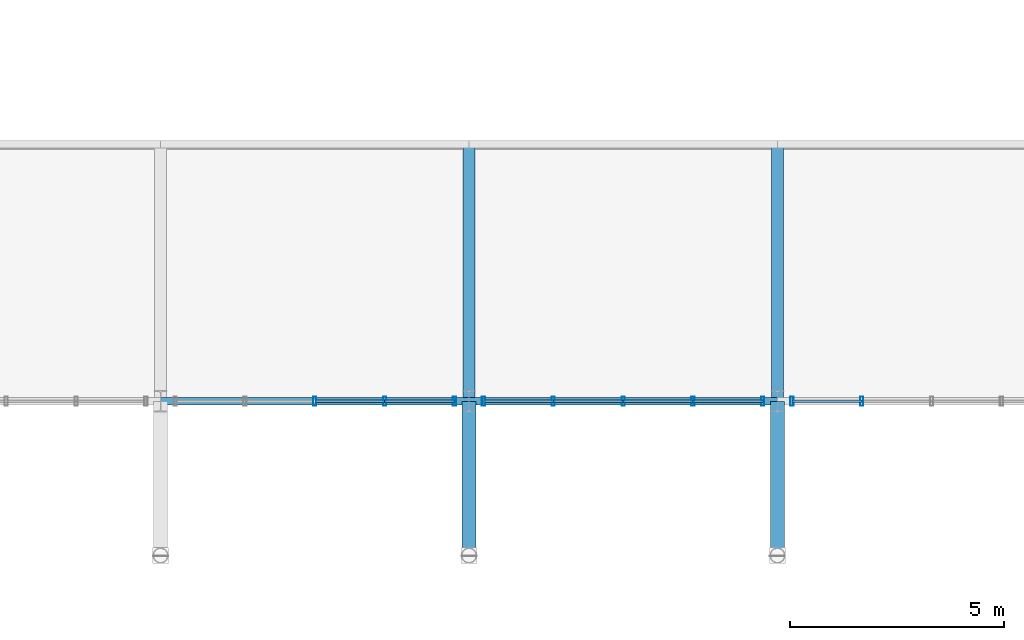
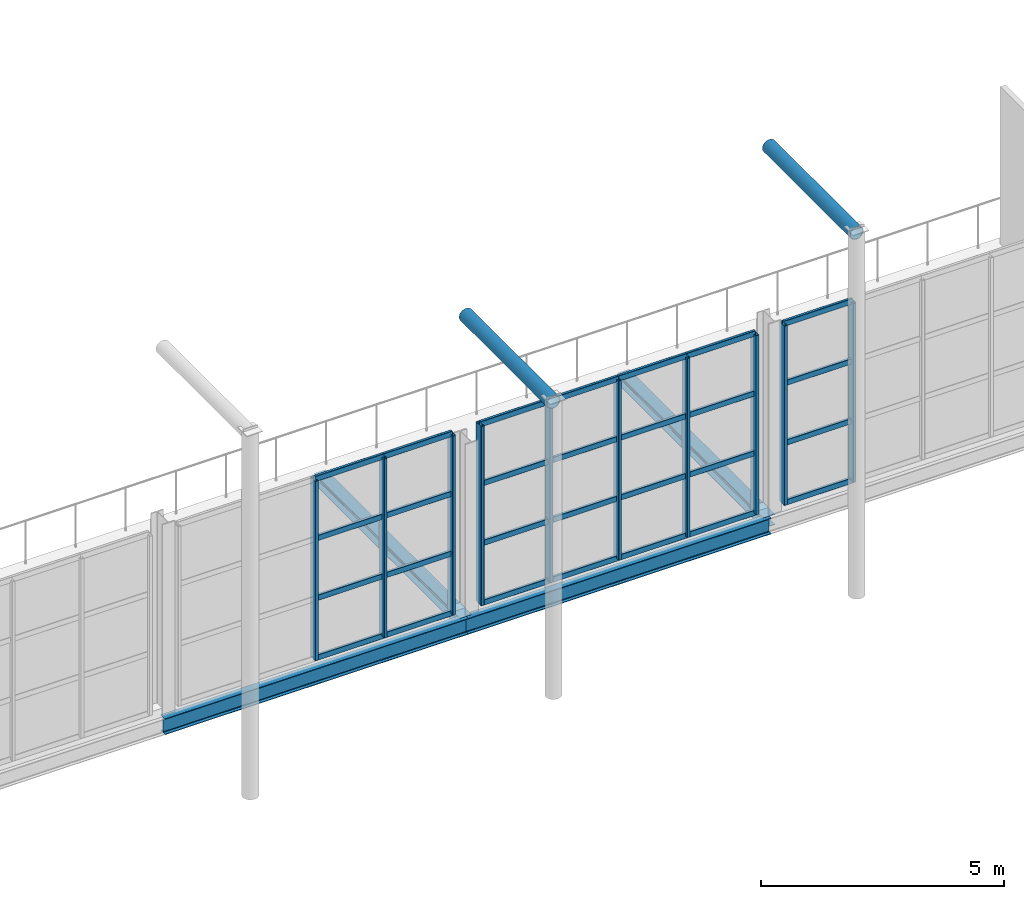
# One storey, part 22 of 143: 38 members, 6 beams, 3 elements without a shape of their own.
"""IFC4 building model written with IfcOpenShell, lengths in metres."""

from ifc_helpers import new_model, si_unit, derived_unit, direction, frame, origin, origin_2d, place, context, subcontext, project, spatial, hollow_rectangle, hollow_circle, i_section, extrude, material, material_profile, profile_set, type_object, element, aggregate, save


model = new_model("IFC4")

# Units and contexts
model_context = context("Model", 3, precision=1e-05, world=origin(), true_north=direction((0.0, 1.0)))
body_context = subcontext(model_context, "Body", "Model", "MODEL_VIEW")
ifc_project = project(units=[si_unit("LENGTHUNIT", "METRE"), si_unit("AREAUNIT", "SQUARE_METRE"), si_unit("VOLUMEUNIT", "CUBIC_METRE"), si_unit("PLANEANGLEUNIT", "RADIAN"), si_unit("MASSUNIT", "GRAM", prefix="KILO"), derived_unit("THERMALTRANSMITTANCEUNIT", [(si_unit("POWERUNIT", "WATT"), 1), (si_unit("LENGTHUNIT", "METRE"), -2), (si_unit("THERMODYNAMICTEMPERATUREUNIT", "KELVIN"), -1)])], contexts=[model_context])

# Site, building, storey
site_placement = place(None, origin())
site = spatial("IfcSite", under=ifc_project, at=site_placement, CompositionType="ELEMENT")
building_placement = place(site_placement, origin())
building = spatial("IfcBuilding", under=site, at=building_placement, Name="Keldorne Ridge Multi-Sports Centre", CompositionType="ELEMENT")
storey_placement = place(building_placement, frame((0.0, 0.0, 4.800048828125)))
storey = spatial("IfcBuildingStorey", under=building, at=storey_placement, Name="L01", CompositionType="ELEMENT", Elevation=4.800048828125)

# Beams
ifc_material_1 = material(Name="Steel S355", Category="steel")
ifc_material_profile_1 = material_profile(ifc_material_1, i_section(OverallWidth=0.179931640625, OverallDepth=0.39990234375, WebThickness=0.008544921875, FlangeThickness=0.013427734375, FilletRadius=0.02099609375, at=origin_2d()), Name="IPE 400")
ifc_profile_set_1 = profile_set([ifc_material_profile_1], Name="Steel S355")
beam_type_1 = type_object("IfcBeamType", Name="BM-B-04", PredefinedType="BEAM", material=ifc_profile_set_1)
for number, where, z_axis, x_axis, name in (
    (1, (34.800048828125, 9.60009765625, -0.420166015625), (1.0, 0.0, 0.0), (0.0, 1.0, 0.0), "L01 mezzanine south beam 5"),
    (2, (42.0, 9.60009765625, -0.420166015625), (1.0, 0.0, 0.0), (0.0, 1.0, 0.0), "L01 mezzanine south beam 6"),
):
    element("IfcBeam", number, at=place(storey_placement, frame(where, z_axis=z_axis, x_axis=x_axis)), inside=storey, type_object=beam_type_1, Name=name, PredefinedType="BEAM", context=body_context, shape_type="SweptSolid", body=[
        extrude(i_section(OverallWidth=0.179931640625, OverallDepth=0.39990234375, WebThickness=0.008544921875, FlangeThickness=0.013427734375, FilletRadius=0.02099609375, at=origin_2d()), origin(), (0.0, 0.0, 1.0), 7.199951171875),
    ])
ifc_material_profile_2 = material_profile(ifc_material_1, hollow_circle(Radius=0.161865234375, WallThickness=0.01611328125, at=origin_2d()), Name="CHS 323.9x16")
ifc_profile_set_2 = profile_set([ifc_material_profile_2], Name="Steel S355")
beam_type_2 = type_object("IfcBeamType", Name="BM-B-19", PredefinedType="BEAM", material=ifc_profile_set_2)
for number, where, z_axis, x_axis, name in (
    (3, (42.0, 9.60009765625, 7.349853515625), (0.0, -1.0, 0.0), (1.0, 0.0, 0.0), "Colonnade eave rafter 06"),
    (4, (49.199951171875, 9.60009765625, 9.070068359375), (0.0, -1.0, 0.0), (1.0, 0.0, 0.0), "Colonnade eave rafter 07"),
):
    element("IfcBeam", number, at=place(storey_placement, frame(where, z_axis=z_axis, x_axis=x_axis)), inside=storey, type_object=beam_type_2, Name=name, PredefinedType="BEAM", context=body_context, shape_type="SweptSolid", body=[
        extrude(hollow_circle(Radius=0.161865234375, WallThickness=0.01611328125, at=origin_2d()), origin(), (0.0, 0.0, 1.0), 3.60009765625),
    ])
ifc_material_profile_3 = material_profile(ifc_material_1, i_section(OverallWidth=0.280029296875, OverallDepth=0.27001953125, WebThickness=0.008056640625, FlangeThickness=0.012939453125, FilletRadius=0.02392578125, at=origin_2d()), Name="HEA 280")
ifc_profile_set_3 = profile_set([ifc_material_profile_3], Name="Steel S355")
beam_type_3 = type_object("IfcBeamType", Name="BM-J-05", PredefinedType="JOIST", material=ifc_profile_set_3)
for number, where, z_axis, x_axis, name in (
    (5, (42.0, 9.60009765625, -0.35498046875), (0.0, 1.0, 0.0), (-1.0, 0.0, 0.0), "L01 mezzanine cross beam 6"),
    (6, (49.199951171875, 9.60009765625, -0.35498046875), (0.0, 1.0, 0.0), (-1.0, 0.0, 0.0), "L01 mezzanine cross beam 7"),
):
    element("IfcBeam", number, at=place(storey_placement, frame(where, z_axis=z_axis, x_axis=x_axis)), inside=storey, type_object=beam_type_3, Name=name, PredefinedType="JOIST", context=body_context, shape_type="SweptSolid", body=[
        extrude(i_section(OverallWidth=0.280029296875, OverallDepth=0.27001953125, WebThickness=0.008056640625, FlangeThickness=0.012939453125, FilletRadius=0.02392578125, at=origin_2d()), origin(), (0.0, 0.0, 1.0), 6.0),
    ])

# Curtain wall, members
ifc_material_2 = material(Name="Anodized aluminium", Category="aluminium")
curtain_wall_type_1 = type_object("IfcCurtainWallType", Name="CW-CW-05", PredefinedType="NOTDEFINED", material=ifc_material_2)
curtain_wall_1_placement = place(storey_placement, origin())
curtain_wall_1 = element("IfcCurtainWall", 7, at=curtain_wall_1_placement, inside=storey, type_object=curtain_wall_type_1, Name="Main Hall south mezzanine curtain wall 013", PredefinedType="NOTDEFINED")
ifc_material_profile_4 = material_profile(ifc_material_2, hollow_rectangle(XDim=0.074951171875, YDim=0.219970703125, WallThickness=0.0048828125, InnerFilletRadius=0.0048828125, OuterFilletRadius=0.010009765625, at=origin_2d()), Name="ALU MULLION 220x75x5")
ifc_profile_set_4 = profile_set([ifc_material_profile_4], Name="Anodized aluminium")
member_type_1 = type_object("IfcMemberType", Name="MEM-ML-02", PredefinedType="MULLION", material=ifc_profile_set_4)
member_1_placement = place(storey_placement, frame((38.39990234375, 9.60009765625, 0.0), z_axis=(0.0, 0.0, 1.0), x_axis=(1.0, 0.0, 0.0)))
member_1 = element("IfcMember", 8, at=member_1_placement, type_object=member_type_1, Name="CW-013 vertical mullion 3", PredefinedType="MULLION", context=body_context, shape_type="SweptSolid", body=[
    extrude(hollow_rectangle(XDim=0.074951171875, YDim=0.219970703125, WallThickness=0.0048828125, InnerFilletRadius=0.0048828125, OuterFilletRadius=0.010009765625, at=origin_2d()), origin(), (0.0, 0.0, 1.0), 4.5),
])
member_2_placement = place(storey_placement, frame((40.030029296875, 9.60009765625, 0.0), z_axis=(0.0, 0.0, 1.0), x_axis=(1.0, 0.0, 0.0)))
member_2 = element("IfcMember", 9, at=member_2_placement, type_object=member_type_1, Name="CW-013 vertical mullion 4", PredefinedType="MULLION", context=body_context, shape_type="SweptSolid", body=[
    extrude(hollow_rectangle(XDim=0.074951171875, YDim=0.219970703125, WallThickness=0.0048828125, InnerFilletRadius=0.0048828125, OuterFilletRadius=0.010009765625, at=origin_2d()), origin(), (0.0, 0.0, 1.0), 4.5),
])
member_3_placement = place(storey_placement, frame((41.659912109375, 9.60009765625, 0.0), z_axis=(0.0, 0.0, 1.0), x_axis=(1.0, 0.0, 0.0)))
member_3 = element("IfcMember", 10, at=member_3_placement, type_object=member_type_1, Name="CW-013 vertical mullion 5", PredefinedType="MULLION", context=body_context, shape_type="SweptSolid", body=[
    extrude(hollow_rectangle(XDim=0.074951171875, YDim=0.219970703125, WallThickness=0.0048828125, InnerFilletRadius=0.0048828125, OuterFilletRadius=0.010009765625, at=origin_2d()), origin(), (0.0, 0.0, 1.0), 4.5),
])

curtain_wall_type_2 = type_object("IfcCurtainWallType", Name="CW-CW-07", PredefinedType="NOTDEFINED", material=ifc_material_2)
curtain_wall_2_placement = place(storey_placement, origin())
curtain_wall_2 = element("IfcCurtainWall", 11, at=curtain_wall_2_placement, inside=storey, type_object=curtain_wall_type_2, Name="Main Hall south mezzanine curtain wall 015", PredefinedType="NOTDEFINED")
member_4_placement = place(storey_placement, frame((42.340087890625, 9.60009765625, 0.0), z_axis=(0.0, 0.0, 1.0), x_axis=(1.0, 0.0, 0.0)))
member_4 = element("IfcMember", 12, at=member_4_placement, type_object=member_type_1, Name="CW-015 vertical mullion 1", PredefinedType="MULLION", context=body_context, shape_type="SweptSolid", body=[
    extrude(hollow_rectangle(XDim=0.074951171875, YDim=0.219970703125, WallThickness=0.0048828125, InnerFilletRadius=0.0048828125, OuterFilletRadius=0.010009765625, at=origin_2d()), origin(), (0.0, 0.0, 1.0), 4.5),
])
member_5_placement = place(storey_placement, frame((43.969970703125, 9.60009765625, 0.0), z_axis=(0.0, 0.0, 1.0), x_axis=(1.0, 0.0, 0.0)))
member_5 = element("IfcMember", 13, at=member_5_placement, type_object=member_type_1, Name="CW-015 vertical mullion 2", PredefinedType="MULLION", context=body_context, shape_type="SweptSolid", body=[
    extrude(hollow_rectangle(XDim=0.074951171875, YDim=0.219970703125, WallThickness=0.0048828125, InnerFilletRadius=0.0048828125, OuterFilletRadius=0.010009765625, at=origin_2d()), origin(), (0.0, 0.0, 1.0), 4.5),
])
member_6_placement = place(storey_placement, frame((45.60009765625, 9.60009765625, 0.0), z_axis=(0.0, 0.0, 1.0), x_axis=(1.0, 0.0, 0.0)))
member_6 = element("IfcMember", 14, at=member_6_placement, type_object=member_type_1, Name="CW-015 vertical mullion 3", PredefinedType="MULLION", context=body_context, shape_type="SweptSolid", body=[
    extrude(hollow_rectangle(XDim=0.074951171875, YDim=0.219970703125, WallThickness=0.0048828125, InnerFilletRadius=0.0048828125, OuterFilletRadius=0.010009765625, at=origin_2d()), origin(), (0.0, 0.0, 1.0), 4.5),
])
member_7_placement = place(storey_placement, frame((47.22998046875, 9.60009765625, 0.0), z_axis=(0.0, 0.0, 1.0), x_axis=(1.0, 0.0, 0.0)))
member_7 = element("IfcMember", 15, at=member_7_placement, type_object=member_type_1, Name="CW-015 vertical mullion 4", PredefinedType="MULLION", context=body_context, shape_type="SweptSolid", body=[
    extrude(hollow_rectangle(XDim=0.074951171875, YDim=0.219970703125, WallThickness=0.0048828125, InnerFilletRadius=0.0048828125, OuterFilletRadius=0.010009765625, at=origin_2d()), origin(), (0.0, 0.0, 1.0), 4.5),
])
member_8_placement = place(storey_placement, frame((48.860107421875, 9.60009765625, 0.0), z_axis=(0.0, 0.0, 1.0), x_axis=(1.0, 0.0, 0.0)))
member_8 = element("IfcMember", 16, at=member_8_placement, type_object=member_type_1, Name="CW-015 vertical mullion 5", PredefinedType="MULLION", context=body_context, shape_type="SweptSolid", body=[
    extrude(hollow_rectangle(XDim=0.074951171875, YDim=0.219970703125, WallThickness=0.0048828125, InnerFilletRadius=0.0048828125, OuterFilletRadius=0.010009765625, at=origin_2d()), origin(), (0.0, 0.0, 1.0), 4.5),
])

curtain_wall_type_3 = type_object("IfcCurtainWallType", Name="CW-CW-01", PredefinedType="NOTDEFINED", material=ifc_material_2)
curtain_wall_3_placement = place(storey_placement, origin())
curtain_wall_3 = element("IfcCurtainWall", 17, at=curtain_wall_3_placement, inside=storey, type_object=curtain_wall_type_3, Name="Main Hall south mezzanine curtain wall 017", PredefinedType="NOTDEFINED")
member_9_placement = place(storey_placement, frame((49.5400390625, 9.60009765625, 0.0), z_axis=(0.0, 0.0, 1.0), x_axis=(1.0, 0.0, 0.0)))
member_9 = element("IfcMember", 18, at=member_9_placement, type_object=member_type_1, Name="CW-017 vertical mullion 1", PredefinedType="MULLION", context=body_context, shape_type="SweptSolid", body=[
    extrude(hollow_rectangle(XDim=0.074951171875, YDim=0.219970703125, WallThickness=0.0048828125, InnerFilletRadius=0.0048828125, OuterFilletRadius=0.010009765625, at=origin_2d()), origin(), (0.0, 0.0, 1.0), 4.5),
])
member_10_placement = place(storey_placement, frame((51.169921875, 9.60009765625, 0.0), z_axis=(0.0, 0.0, 1.0), x_axis=(1.0, 0.0, 0.0)))
member_10 = element("IfcMember", 19, at=member_10_placement, type_object=member_type_1, Name="CW-017 vertical mullion 2", PredefinedType="MULLION", context=body_context, shape_type="SweptSolid", body=[
    extrude(hollow_rectangle(XDim=0.074951171875, YDim=0.219970703125, WallThickness=0.0048828125, InnerFilletRadius=0.0048828125, OuterFilletRadius=0.010009765625, at=origin_2d()), origin(), (0.0, 0.0, 1.0), 4.5),
])

# Member
ifc_material_profile_5 = material_profile(ifc_material_2, hollow_rectangle(XDim=0.06494140625, YDim=0.139892578125, WallThickness=0.00439453125, InnerFilletRadius=0.00439453125, OuterFilletRadius=0.009033203125, at=origin_2d()), Name="ALU TRANSOM 140x65x4.5")
ifc_profile_set_5 = profile_set([ifc_material_profile_5], Name="Anodized aluminium")
member_type_2 = type_object("IfcMemberType", Name="MEM-TR-01", PredefinedType="USERDEFINED", material=ifc_profile_set_5)
member_11_placement = place(storey_placement, frame((38.39990234375, 9.60009765625, 0.0), z_axis=(1.0, 0.0, 0.0), x_axis=(0.0, 1.0, 0.0)))
member_11 = element("IfcMember", 20, at=member_11_placement, type_object=member_type_2, Name="CW-013 transom 3.1", ObjectType="TRANSOM", PredefinedType="USERDEFINED", context=body_context, shape_type="SweptSolid", body=[
    extrude(hollow_rectangle(XDim=0.06494140625, YDim=0.139892578125, WallThickness=0.00439453125, InnerFilletRadius=0.00439453125, OuterFilletRadius=0.009033203125, at=origin_2d()), origin(), (0.0, 0.0, 1.0), 1.630126953125),
])

member_12_placement = place(storey_placement, frame((38.39990234375, 9.60009765625, 1.5), z_axis=(1.0, 0.0, 0.0), x_axis=(0.0, 1.0, 0.0)))
member_12 = element("IfcMember", 21, at=member_12_placement, type_object=member_type_2, Name="CW-013 transom 3.2", ObjectType="TRANSOM", PredefinedType="USERDEFINED", context=body_context, shape_type="SweptSolid", body=[
    extrude(hollow_rectangle(XDim=0.06494140625, YDim=0.139892578125, WallThickness=0.00439453125, InnerFilletRadius=0.00439453125, OuterFilletRadius=0.009033203125, at=origin_2d()), origin(), (0.0, 0.0, 1.0), 1.630126953125),
])

member_13_placement = place(storey_placement, frame((38.39990234375, 9.60009765625, 3.0), z_axis=(1.0, 0.0, 0.0), x_axis=(0.0, 1.0, 0.0)))
member_13 = element("IfcMember", 22, at=member_13_placement, type_object=member_type_2, Name="CW-013 transom 3.3", ObjectType="TRANSOM", PredefinedType="USERDEFINED", context=body_context, shape_type="SweptSolid", body=[
    extrude(hollow_rectangle(XDim=0.06494140625, YDim=0.139892578125, WallThickness=0.00439453125, InnerFilletRadius=0.00439453125, OuterFilletRadius=0.009033203125, at=origin_2d()), origin(), (0.0, 0.0, 1.0), 1.630126953125),
])

member_14_placement = place(storey_placement, frame((38.39990234375, 9.60009765625, 4.5), z_axis=(1.0, 0.0, 0.0), x_axis=(0.0, 1.0, 0.0)))
member_14 = element("IfcMember", 23, at=member_14_placement, type_object=member_type_2, Name="CW-013 transom 3.4", ObjectType="TRANSOM", PredefinedType="USERDEFINED", context=body_context, shape_type="SweptSolid", body=[
    extrude(hollow_rectangle(XDim=0.06494140625, YDim=0.139892578125, WallThickness=0.00439453125, InnerFilletRadius=0.00439453125, OuterFilletRadius=0.009033203125, at=origin_2d()), origin(), (0.0, 0.0, 1.0), 1.630126953125),
])

member_15_placement = place(storey_placement, frame((40.030029296875, 9.60009765625, 0.0), z_axis=(1.0, 0.0, 0.0), x_axis=(0.0, 1.0, 0.0)))
member_15 = element("IfcMember", 24, at=member_15_placement, type_object=member_type_2, Name="CW-013 transom 4.1", ObjectType="TRANSOM", PredefinedType="USERDEFINED", context=body_context, shape_type="SweptSolid", body=[
    extrude(hollow_rectangle(XDim=0.06494140625, YDim=0.139892578125, WallThickness=0.00439453125, InnerFilletRadius=0.00439453125, OuterFilletRadius=0.009033203125, at=origin_2d()), origin(), (0.0, 0.0, 1.0), 1.6298828125),
])

member_16_placement = place(storey_placement, frame((40.030029296875, 9.60009765625, 1.5), z_axis=(1.0, 0.0, 0.0), x_axis=(0.0, 1.0, 0.0)))
member_16 = element("IfcMember", 25, at=member_16_placement, type_object=member_type_2, Name="CW-013 transom 4.2", ObjectType="TRANSOM", PredefinedType="USERDEFINED", context=body_context, shape_type="SweptSolid", body=[
    extrude(hollow_rectangle(XDim=0.06494140625, YDim=0.139892578125, WallThickness=0.00439453125, InnerFilletRadius=0.00439453125, OuterFilletRadius=0.009033203125, at=origin_2d()), origin(), (0.0, 0.0, 1.0), 1.6298828125),
])

member_17_placement = place(storey_placement, frame((40.030029296875, 9.60009765625, 3.0), z_axis=(1.0, 0.0, 0.0), x_axis=(0.0, 1.0, 0.0)))
member_17 = element("IfcMember", 26, at=member_17_placement, type_object=member_type_2, Name="CW-013 transom 4.3", ObjectType="TRANSOM", PredefinedType="USERDEFINED", context=body_context, shape_type="SweptSolid", body=[
    extrude(hollow_rectangle(XDim=0.06494140625, YDim=0.139892578125, WallThickness=0.00439453125, InnerFilletRadius=0.00439453125, OuterFilletRadius=0.009033203125, at=origin_2d()), origin(), (0.0, 0.0, 1.0), 1.6298828125),
])

member_18_placement = place(storey_placement, frame((40.030029296875, 9.60009765625, 4.5), z_axis=(1.0, 0.0, 0.0), x_axis=(0.0, 1.0, 0.0)))
member_18 = element("IfcMember", 27, at=member_18_placement, type_object=member_type_2, Name="CW-013 transom 4.4", ObjectType="TRANSOM", PredefinedType="USERDEFINED", context=body_context, shape_type="SweptSolid", body=[
    extrude(hollow_rectangle(XDim=0.06494140625, YDim=0.139892578125, WallThickness=0.00439453125, InnerFilletRadius=0.00439453125, OuterFilletRadius=0.009033203125, at=origin_2d()), origin(), (0.0, 0.0, 1.0), 1.6298828125),
])

aggregate(curtain_wall_1, [member_1, member_2, member_3, member_11, member_12, member_13, member_14, member_15, member_16, member_17, member_18])

member_19_placement = place(storey_placement, frame((42.340087890625, 9.60009765625, 0.0), z_axis=(1.0, 0.0, 0.0), x_axis=(0.0, 1.0, 0.0)))
member_19 = element("IfcMember", 28, at=member_19_placement, type_object=member_type_2, Name="CW-015 transom 1.1", ObjectType="TRANSOM", PredefinedType="USERDEFINED", context=body_context, shape_type="SweptSolid", body=[
    extrude(hollow_rectangle(XDim=0.06494140625, YDim=0.139892578125, WallThickness=0.00439453125, InnerFilletRadius=0.00439453125, OuterFilletRadius=0.009033203125, at=origin_2d()), origin(), (0.0, 0.0, 1.0), 1.6298828125),
])

member_20_placement = place(storey_placement, frame((42.340087890625, 9.60009765625, 1.5), z_axis=(1.0, 0.0, 0.0), x_axis=(0.0, 1.0, 0.0)))
member_20 = element("IfcMember", 29, at=member_20_placement, type_object=member_type_2, Name="CW-015 transom 1.2", ObjectType="TRANSOM", PredefinedType="USERDEFINED", context=body_context, shape_type="SweptSolid", body=[
    extrude(hollow_rectangle(XDim=0.06494140625, YDim=0.139892578125, WallThickness=0.00439453125, InnerFilletRadius=0.00439453125, OuterFilletRadius=0.009033203125, at=origin_2d()), origin(), (0.0, 0.0, 1.0), 1.6298828125),
])

member_21_placement = place(storey_placement, frame((42.340087890625, 9.60009765625, 3.0), z_axis=(1.0, 0.0, 0.0), x_axis=(0.0, 1.0, 0.0)))
member_21 = element("IfcMember", 30, at=member_21_placement, type_object=member_type_2, Name="CW-015 transom 1.3", ObjectType="TRANSOM", PredefinedType="USERDEFINED", context=body_context, shape_type="SweptSolid", body=[
    extrude(hollow_rectangle(XDim=0.06494140625, YDim=0.139892578125, WallThickness=0.00439453125, InnerFilletRadius=0.00439453125, OuterFilletRadius=0.009033203125, at=origin_2d()), origin(), (0.0, 0.0, 1.0), 1.6298828125),
])

member_22_placement = place(storey_placement, frame((42.340087890625, 9.60009765625, 4.5), z_axis=(1.0, 0.0, 0.0), x_axis=(0.0, 1.0, 0.0)))
member_22 = element("IfcMember", 31, at=member_22_placement, type_object=member_type_2, Name="CW-015 transom 1.4", ObjectType="TRANSOM", PredefinedType="USERDEFINED", context=body_context, shape_type="SweptSolid", body=[
    extrude(hollow_rectangle(XDim=0.06494140625, YDim=0.139892578125, WallThickness=0.00439453125, InnerFilletRadius=0.00439453125, OuterFilletRadius=0.009033203125, at=origin_2d()), origin(), (0.0, 0.0, 1.0), 1.6298828125),
])

member_23_placement = place(storey_placement, frame((43.969970703125, 9.60009765625, 0.0), z_axis=(1.0, 0.0, 0.0), x_axis=(0.0, 1.0, 0.0)))
member_23 = element("IfcMember", 32, at=member_23_placement, type_object=member_type_2, Name="CW-015 transom 2.1", ObjectType="TRANSOM", PredefinedType="USERDEFINED", context=body_context, shape_type="SweptSolid", body=[
    extrude(hollow_rectangle(XDim=0.06494140625, YDim=0.139892578125, WallThickness=0.00439453125, InnerFilletRadius=0.00439453125, OuterFilletRadius=0.009033203125, at=origin_2d()), origin(), (0.0, 0.0, 1.0), 1.630126953125),
])

member_24_placement = place(storey_placement, frame((43.969970703125, 9.60009765625, 1.5), z_axis=(1.0, 0.0, 0.0), x_axis=(0.0, 1.0, 0.0)))
member_24 = element("IfcMember", 33, at=member_24_placement, type_object=member_type_2, Name="CW-015 transom 2.2", ObjectType="TRANSOM", PredefinedType="USERDEFINED", context=body_context, shape_type="SweptSolid", body=[
    extrude(hollow_rectangle(XDim=0.06494140625, YDim=0.139892578125, WallThickness=0.00439453125, InnerFilletRadius=0.00439453125, OuterFilletRadius=0.009033203125, at=origin_2d()), origin(), (0.0, 0.0, 1.0), 1.630126953125),
])

member_25_placement = place(storey_placement, frame((43.969970703125, 9.60009765625, 3.0), z_axis=(1.0, 0.0, 0.0), x_axis=(0.0, 1.0, 0.0)))
member_25 = element("IfcMember", 34, at=member_25_placement, type_object=member_type_2, Name="CW-015 transom 2.3", ObjectType="TRANSOM", PredefinedType="USERDEFINED", context=body_context, shape_type="SweptSolid", body=[
    extrude(hollow_rectangle(XDim=0.06494140625, YDim=0.139892578125, WallThickness=0.00439453125, InnerFilletRadius=0.00439453125, OuterFilletRadius=0.009033203125, at=origin_2d()), origin(), (0.0, 0.0, 1.0), 1.630126953125),
])

member_26_placement = place(storey_placement, frame((43.969970703125, 9.60009765625, 4.5), z_axis=(1.0, 0.0, 0.0), x_axis=(0.0, 1.0, 0.0)))
member_26 = element("IfcMember", 35, at=member_26_placement, type_object=member_type_2, Name="CW-015 transom 2.4", ObjectType="TRANSOM", PredefinedType="USERDEFINED", context=body_context, shape_type="SweptSolid", body=[
    extrude(hollow_rectangle(XDim=0.06494140625, YDim=0.139892578125, WallThickness=0.00439453125, InnerFilletRadius=0.00439453125, OuterFilletRadius=0.009033203125, at=origin_2d()), origin(), (0.0, 0.0, 1.0), 1.630126953125),
])

member_27_placement = place(storey_placement, frame((45.60009765625, 9.60009765625, 0.0), z_axis=(1.0, 0.0, 0.0), x_axis=(0.0, 1.0, 0.0)))
member_27 = element("IfcMember", 36, at=member_27_placement, type_object=member_type_2, Name="CW-015 transom 3.1", ObjectType="TRANSOM", PredefinedType="USERDEFINED", context=body_context, shape_type="SweptSolid", body=[
    extrude(hollow_rectangle(XDim=0.06494140625, YDim=0.139892578125, WallThickness=0.00439453125, InnerFilletRadius=0.00439453125, OuterFilletRadius=0.009033203125, at=origin_2d()), origin(), (0.0, 0.0, 1.0), 1.6298828125),
])

member_28_placement = place(storey_placement, frame((45.60009765625, 9.60009765625, 1.5), z_axis=(1.0, 0.0, 0.0), x_axis=(0.0, 1.0, 0.0)))
member_28 = element("IfcMember", 37, at=member_28_placement, type_object=member_type_2, Name="CW-015 transom 3.2", ObjectType="TRANSOM", PredefinedType="USERDEFINED", context=body_context, shape_type="SweptSolid", body=[
    extrude(hollow_rectangle(XDim=0.06494140625, YDim=0.139892578125, WallThickness=0.00439453125, InnerFilletRadius=0.00439453125, OuterFilletRadius=0.009033203125, at=origin_2d()), origin(), (0.0, 0.0, 1.0), 1.6298828125),
])

member_29_placement = place(storey_placement, frame((45.60009765625, 9.60009765625, 3.0), z_axis=(1.0, 0.0, 0.0), x_axis=(0.0, 1.0, 0.0)))
member_29 = element("IfcMember", 38, at=member_29_placement, type_object=member_type_2, Name="CW-015 transom 3.3", ObjectType="TRANSOM", PredefinedType="USERDEFINED", context=body_context, shape_type="SweptSolid", body=[
    extrude(hollow_rectangle(XDim=0.06494140625, YDim=0.139892578125, WallThickness=0.00439453125, InnerFilletRadius=0.00439453125, OuterFilletRadius=0.009033203125, at=origin_2d()), origin(), (0.0, 0.0, 1.0), 1.6298828125),
])

member_30_placement = place(storey_placement, frame((45.60009765625, 9.60009765625, 4.5), z_axis=(1.0, 0.0, 0.0), x_axis=(0.0, 1.0, 0.0)))
member_30 = element("IfcMember", 39, at=member_30_placement, type_object=member_type_2, Name="CW-015 transom 3.4", ObjectType="TRANSOM", PredefinedType="USERDEFINED", context=body_context, shape_type="SweptSolid", body=[
    extrude(hollow_rectangle(XDim=0.06494140625, YDim=0.139892578125, WallThickness=0.00439453125, InnerFilletRadius=0.00439453125, OuterFilletRadius=0.009033203125, at=origin_2d()), origin(), (0.0, 0.0, 1.0), 1.6298828125),
])

member_31_placement = place(storey_placement, frame((47.22998046875, 9.60009765625, 0.0), z_axis=(1.0, 0.0, 0.0), x_axis=(0.0, 1.0, 0.0)))
member_31 = element("IfcMember", 40, at=member_31_placement, type_object=member_type_2, Name="CW-015 transom 4.1", ObjectType="TRANSOM", PredefinedType="USERDEFINED", context=body_context, shape_type="SweptSolid", body=[
    extrude(hollow_rectangle(XDim=0.06494140625, YDim=0.139892578125, WallThickness=0.00439453125, InnerFilletRadius=0.00439453125, OuterFilletRadius=0.009033203125, at=origin_2d()), origin(), (0.0, 0.0, 1.0), 1.630126953125),
])

member_32_placement = place(storey_placement, frame((47.22998046875, 9.60009765625, 1.5), z_axis=(1.0, 0.0, 0.0), x_axis=(0.0, 1.0, 0.0)))
member_32 = element("IfcMember", 41, at=member_32_placement, type_object=member_type_2, Name="CW-015 transom 4.2", ObjectType="TRANSOM", PredefinedType="USERDEFINED", context=body_context, shape_type="SweptSolid", body=[
    extrude(hollow_rectangle(XDim=0.06494140625, YDim=0.139892578125, WallThickness=0.00439453125, InnerFilletRadius=0.00439453125, OuterFilletRadius=0.009033203125, at=origin_2d()), origin(), (0.0, 0.0, 1.0), 1.630126953125),
])

member_33_placement = place(storey_placement, frame((47.22998046875, 9.60009765625, 3.0), z_axis=(1.0, 0.0, 0.0), x_axis=(0.0, 1.0, 0.0)))
member_33 = element("IfcMember", 42, at=member_33_placement, type_object=member_type_2, Name="CW-015 transom 4.3", ObjectType="TRANSOM", PredefinedType="USERDEFINED", context=body_context, shape_type="SweptSolid", body=[
    extrude(hollow_rectangle(XDim=0.06494140625, YDim=0.139892578125, WallThickness=0.00439453125, InnerFilletRadius=0.00439453125, OuterFilletRadius=0.009033203125, at=origin_2d()), origin(), (0.0, 0.0, 1.0), 1.630126953125),
])

member_34_placement = place(storey_placement, frame((47.22998046875, 9.60009765625, 4.5), z_axis=(1.0, 0.0, 0.0), x_axis=(0.0, 1.0, 0.0)))
member_34 = element("IfcMember", 43, at=member_34_placement, type_object=member_type_2, Name="CW-015 transom 4.4", ObjectType="TRANSOM", PredefinedType="USERDEFINED", context=body_context, shape_type="SweptSolid", body=[
    extrude(hollow_rectangle(XDim=0.06494140625, YDim=0.139892578125, WallThickness=0.00439453125, InnerFilletRadius=0.00439453125, OuterFilletRadius=0.009033203125, at=origin_2d()), origin(), (0.0, 0.0, 1.0), 1.630126953125),
])

aggregate(curtain_wall_2, [member_4, member_5, member_6, member_7, member_8, member_19, member_20, member_21, member_22, member_23, member_24, member_25, member_26, member_27, member_28, member_29, member_30, member_31, member_32, member_33, member_34])

member_35_placement = place(storey_placement, frame((49.5400390625, 9.60009765625, 0.0), z_axis=(1.0, 0.0, 0.0), x_axis=(0.0, 1.0, 0.0)))
member_35 = element("IfcMember", 44, at=member_35_placement, type_object=member_type_2, Name="CW-017 transom 1.1", ObjectType="TRANSOM", PredefinedType="USERDEFINED", context=body_context, shape_type="SweptSolid", body=[
    extrude(hollow_rectangle(XDim=0.06494140625, YDim=0.139892578125, WallThickness=0.00439453125, InnerFilletRadius=0.00439453125, OuterFilletRadius=0.009033203125, at=origin_2d()), origin(), (0.0, 0.0, 1.0), 1.6298828125),
])

member_36_placement = place(storey_placement, frame((49.5400390625, 9.60009765625, 1.5), z_axis=(1.0, 0.0, 0.0), x_axis=(0.0, 1.0, 0.0)))
member_36 = element("IfcMember", 45, at=member_36_placement, type_object=member_type_2, Name="CW-017 transom 1.2", ObjectType="TRANSOM", PredefinedType="USERDEFINED", context=body_context, shape_type="SweptSolid", body=[
    extrude(hollow_rectangle(XDim=0.06494140625, YDim=0.139892578125, WallThickness=0.00439453125, InnerFilletRadius=0.00439453125, OuterFilletRadius=0.009033203125, at=origin_2d()), origin(), (0.0, 0.0, 1.0), 1.6298828125),
])

member_37_placement = place(storey_placement, frame((49.5400390625, 9.60009765625, 3.0), z_axis=(1.0, 0.0, 0.0), x_axis=(0.0, 1.0, 0.0)))
member_37 = element("IfcMember", 46, at=member_37_placement, type_object=member_type_2, Name="CW-017 transom 1.3", ObjectType="TRANSOM", PredefinedType="USERDEFINED", context=body_context, shape_type="SweptSolid", body=[
    extrude(hollow_rectangle(XDim=0.06494140625, YDim=0.139892578125, WallThickness=0.00439453125, InnerFilletRadius=0.00439453125, OuterFilletRadius=0.009033203125, at=origin_2d()), origin(), (0.0, 0.0, 1.0), 1.6298828125),
])

member_38_placement = place(storey_placement, frame((49.5400390625, 9.60009765625, 4.5), z_axis=(1.0, 0.0, 0.0), x_axis=(0.0, 1.0, 0.0)))
member_38 = element("IfcMember", 47, at=member_38_placement, type_object=member_type_2, Name="CW-017 transom 1.4", ObjectType="TRANSOM", PredefinedType="USERDEFINED", context=body_context, shape_type="SweptSolid", body=[
    extrude(hollow_rectangle(XDim=0.06494140625, YDim=0.139892578125, WallThickness=0.00439453125, InnerFilletRadius=0.00439453125, OuterFilletRadius=0.009033203125, at=origin_2d()), origin(), (0.0, 0.0, 1.0), 1.6298828125),
])

aggregate(curtain_wall_3, [member_9, member_10, member_35, member_36, member_37, member_38])

save(model, "model.ifc")
